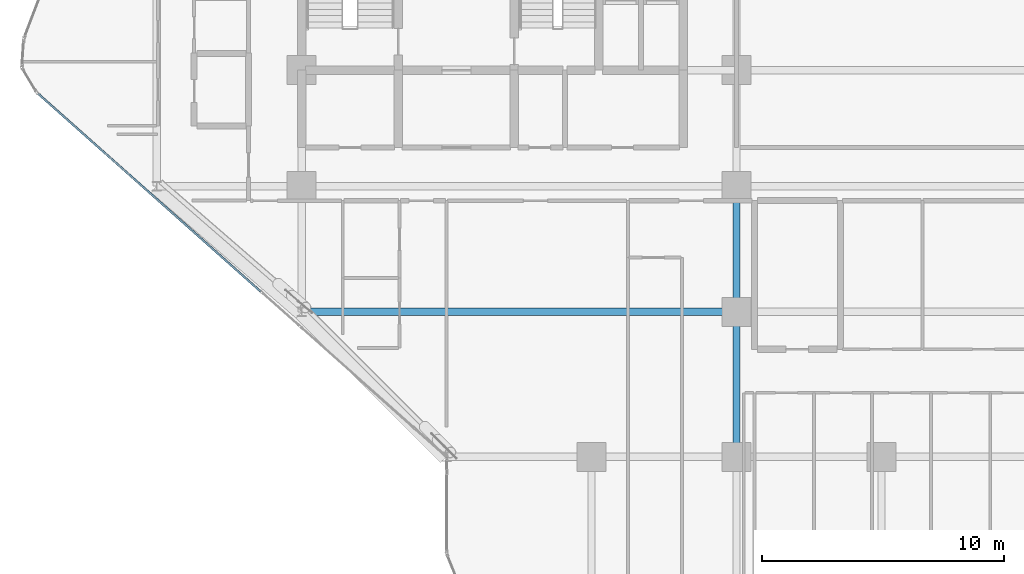
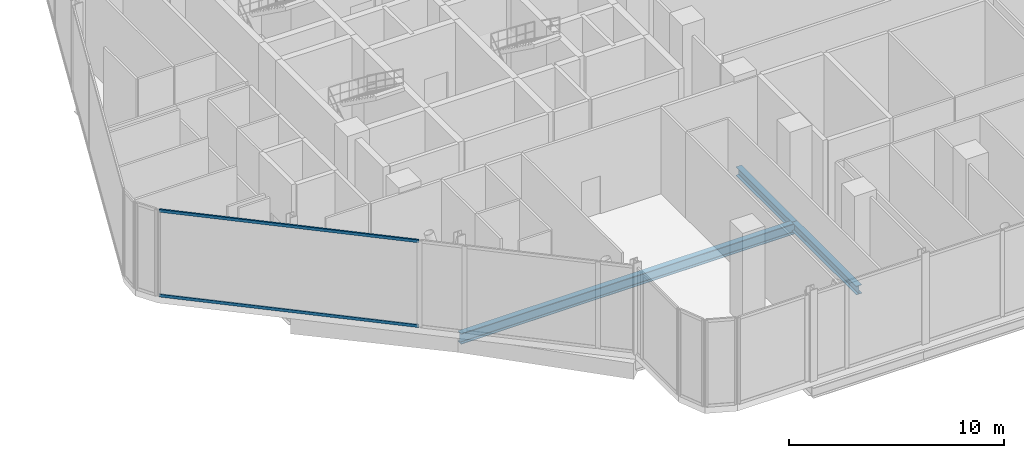
# One storey, part 5 of 36: 3 beams, 2 members, 1 element without a shape of its own.
"""IFC4 building model written with IfcOpenShell, lengths in metres."""

from ifc_helpers import new_model, si_unit, direction, frame, origin, origin_2d, place, context, subcontext, project, spatial, hollow_rectangle, i_section, extrude, material, layer, layer_set, material_profile, profile_set, type_object, element, aggregate, save


model = new_model("IFC4")

# Units and contexts
model_context = context("Model", 3, precision=1e-05, world=origin(), true_north=direction((0.0, 1.0)))
body_context = subcontext(model_context, "Body", "Model", "MODEL_VIEW")
ifc_project = project(units=[si_unit("LENGTHUNIT", "METRE"), si_unit("AREAUNIT", "SQUARE_METRE"), si_unit("VOLUMEUNIT", "CUBIC_METRE"), si_unit("PLANEANGLEUNIT", "RADIAN"), si_unit("MASSUNIT", "GRAM", prefix="KILO")], contexts=[model_context])

# Site, building, storey
site_placement = place(None, origin())
site = spatial("IfcSite", under=ifc_project, at=site_placement, CompositionType="ELEMENT")
building_placement = place(site_placement, origin())
building = spatial("IfcBuilding", under=site, at=building_placement, Name="Keshet Zoharim Tower", CompositionType="ELEMENT")
storey_placement = place(building_placement, frame((0.0, 0.0, 81.199951171875)))
storey = spatial("IfcBuildingStorey", under=building, at=storey_placement, Name="L19", CompositionType="ELEMENT", Elevation=81.199951171875)

# Beams
ifc_material_1 = material(Name="Steel S355", Category="steel")
ifc_material_profile_1 = material_profile(ifc_material_1, i_section(OverallWidth=0.300048828125, OverallDepth=0.60009765625, WebThickness=0.015380859375, FlangeThickness=0.030029296875, FilletRadius=0.027099609375, at=origin_2d()), Name="HEB600")
ifc_profile_set_1 = profile_set([ifc_material_profile_1], Name="Steel S355")
beam_type_1 = type_object("IfcBeamType", Name="BM-LNG-HB600", PredefinedType="BEAM", material=ifc_profile_set_1)
beam_1_placement = place(storey_placement, frame((15.0, 12.699951171875, -0.719970703125), z_axis=(1.0, 0.0, 0.0), x_axis=(0.0, 1.0, 0.0)))
element("IfcBeam", 1, at=beam_1_placement, inside=storey, type_object=beam_type_1, Name="L19 Primary Girder X-011", PredefinedType="BEAM", context=body_context, shape_type="SweptSolid", body=[
    extrude(i_section(OverallWidth=0.300048828125, OverallDepth=0.60009765625, WebThickness=0.015380859375, FlangeThickness=0.030029296875, FilletRadius=0.027099609375, at=origin_2d()), origin(), (0.0, 0.0, 1.0), 18.0),
])
ifc_material_profile_2 = material_profile(ifc_material_1, i_section(OverallWidth=0.300048828125, OverallDepth=0.5, WebThickness=0.014404296875, FlangeThickness=0.028076171875, FilletRadius=0.027099609375, at=origin_2d()), Name="HEB500")
ifc_profile_set_2 = profile_set([ifc_material_profile_2], Name="Steel S355")
beam_type_2 = type_object("IfcBeamType", Name="BM-WEB-HB500", PredefinedType="BEAM", material=ifc_profile_set_2)
beam_2_placement = place(storey_placement, frame((33.0, 6.699951171875, -0.669921875), z_axis=(0.0, 1.0, 0.0), x_axis=(-1.0, 0.0, 0.0)))
element("IfcBeam", 2, at=beam_2_placement, inside=storey, type_object=beam_type_2, Name="L19 Primary Girder Y-006", PredefinedType="BEAM", context=body_context, shape_type="SweptSolid", body=[
    extrude(i_section(OverallWidth=0.300048828125, OverallDepth=0.5, WebThickness=0.014404296875, FlangeThickness=0.028076171875, FilletRadius=0.027099609375, at=origin_2d()), origin(), (0.0, 0.0, 1.0), 6.0),
])
beam_3_placement = place(storey_placement, frame((33.0, 12.699951171875, -0.669921875), z_axis=(0.0, 1.0, 0.0), x_axis=(-1.0, 0.0, 0.0)))
element("IfcBeam", 3, at=beam_3_placement, inside=storey, type_object=beam_type_2, Name="L19 Primary Girder Y-007", PredefinedType="BEAM", context=body_context, shape_type="SweptSolid", body=[
    extrude(i_section(OverallWidth=0.300048828125, OverallDepth=0.5, WebThickness=0.014404296875, FlangeThickness=0.028076171875, FilletRadius=0.027099609375, at=origin_2d()), origin(), (0.0, 0.0, 1.0), 5.199951171875),
])

# Curtain wall, members
ifc_material_2 = material(Name="Aluminium 6063-T6", Category="aluminium")
ifc_layer = layer(ifc_material_2, 0.179931640625)
ifc_layer_set = layer_set([ifc_layer], Name="Aluminium 6063-T6")
curtain_wall_type = type_object("IfcCurtainWallType", Name="CW-SYS-01", PredefinedType="NOTDEFINED", material=ifc_layer_set)
curtain_wall_placement = place(storey_placement, origin())
curtain_wall = element("IfcCurtainWall", 4, at=curtain_wall_placement, inside=storey, type_object=curtain_wall_type, Name="L19 Unitised Curtain Wall 01 Part 4", PredefinedType="NOTDEFINED")
ifc_material_profile_3 = material_profile(ifc_material_2, hollow_rectangle(XDim=0.0849609375, YDim=0.159912109375, WallThickness=0.00439453125, at=origin_2d()), Name="TRN-85x160")
ifc_profile_set_3 = profile_set([ifc_material_profile_3], Name="Aluminium 6063-T6")
member_type = type_object("IfcMemberType", Name="CWT-T16", PredefinedType="USERDEFINED", material=ifc_profile_set_3)
member_1_placement = place(storey_placement, frame((13.309814453125, 13.53564453125, 0.03515625), z_axis=(-0.747407135423, 0.66436629499, 0.0), x_axis=(-0.66436629499, -0.747407135423, 0.0)))
member_1 = element("IfcMember", 5, at=member_1_placement, type_object=member_type, Name="CW-01 transom 1.1", ObjectType="TRANSOM", PredefinedType="USERDEFINED", context=body_context, shape_type="SweptSolid", body=[
    extrude(hollow_rectangle(XDim=0.0849609375, YDim=0.159912109375, WallThickness=0.00439453125, at=origin_2d()), origin(), (0.0, 0.0, 1.0), 12.339111328125),
])
member_2_placement = place(storey_placement, frame((13.309814453125, 13.53564453125, 4.85009765625), z_axis=(-0.747407135423, 0.66436629499, 0.0), x_axis=(-0.66436629499, -0.747407135423, 0.0)))
member_2 = element("IfcMember", 6, at=member_2_placement, type_object=member_type, Name="CW-01 transom 1.2", ObjectType="TRANSOM", PredefinedType="USERDEFINED", context=body_context, shape_type="SweptSolid", body=[
    extrude(hollow_rectangle(XDim=0.0849609375, YDim=0.159912109375, WallThickness=0.00439453125, at=origin_2d()), origin(), (0.0, 0.0, 1.0), 12.339111328125),
])
aggregate(curtain_wall, [member_1, member_2])

save(model, "model.ifc")
